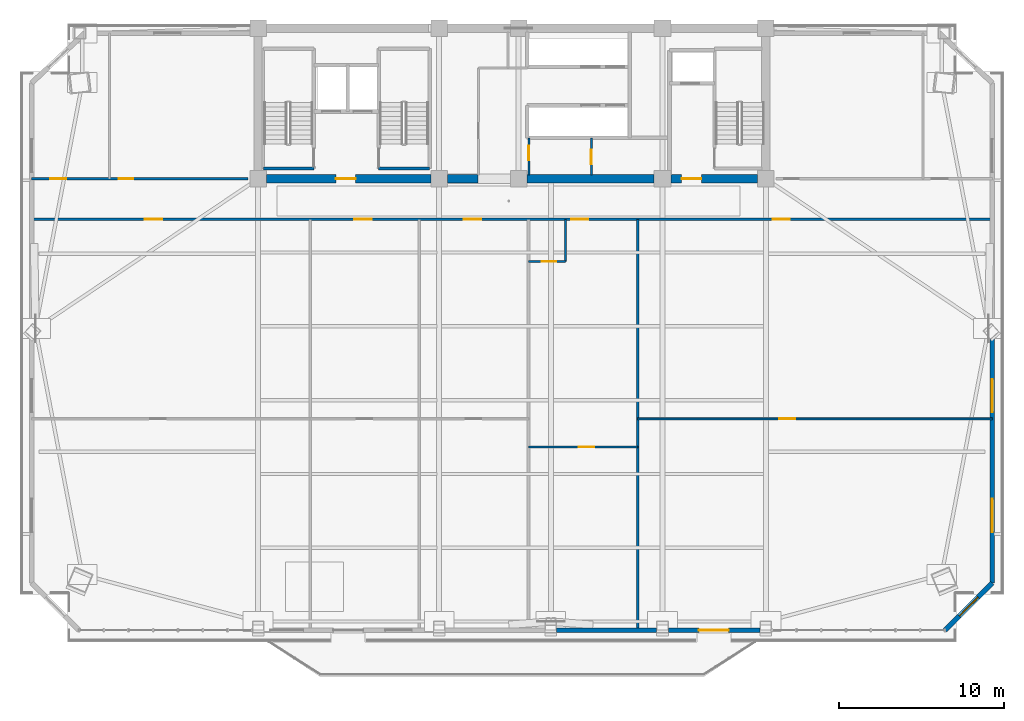
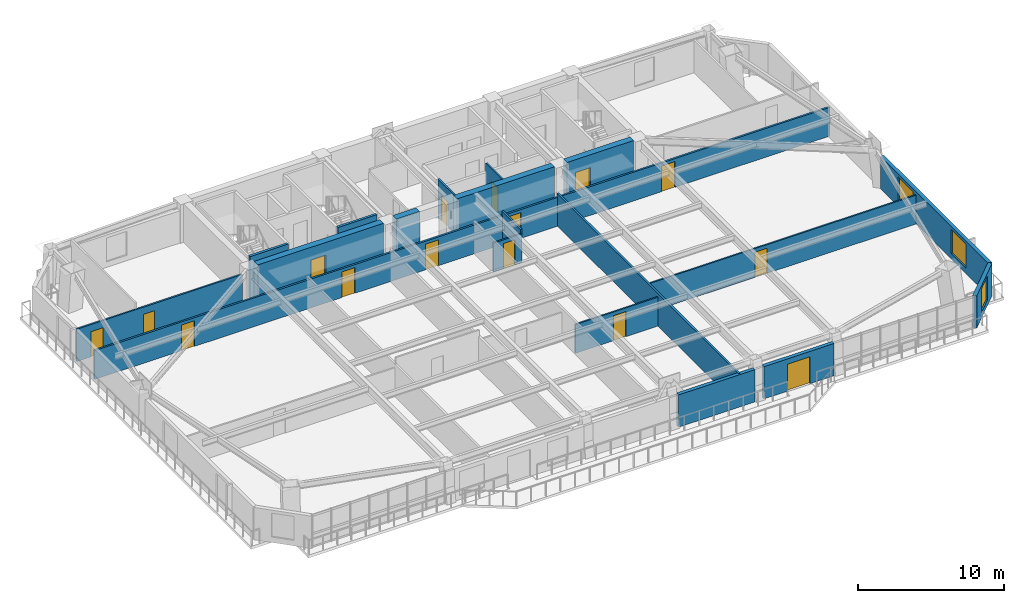
# One storey, part 8 of 15: 19 walls, 15 doors, 3 windows, 18 openings.
"""IFC4 building model written with IfcOpenShell, lengths in metres."""

import ifcopenshell
import ifcopenshell.guid

model = None  # the IFC model being written
_history = None  # IfcOwnerHistory: only IFC2X3 demands one
_inside = {}  # id of a spatial element -> (the spatial element, [elements in it])
_under = {}  # id of a project, library or spatial element -> (it, [spatial elements below it])
_declared = {}  # id of a project -> (the project, [libraries it declares])
_typed = {}  # id of a type object -> (the type object, [elements of that type])
_made_of = {}  # id of a material, layer set ... -> (it, [elements and type objects made of it])


def new_model(schema):
    """Start an empty IFC model of exactly this schema.

    Asked for "IFC4X3", IfcOpenShell would pick the latest addendum, in which some entities
    have other attributes; the version numbers below select the first issue.
    IFC2X3 requires an IfcOwnerHistory on every rooted entity: one is made here for all.
    """
    global model, _history
    if schema == "IFC4X3":
        model = ifcopenshell.file(schema_version=(4, 3, 0, 0))
    else:
        model = ifcopenshell.file(schema=schema)
    _inside.clear()
    _under.clear()
    _declared.clear()
    _typed.clear()
    _made_of.clear()
    _history = None
    if model.schema == "IFC2X3":
        org = make("IfcOrganization", Name="unknown")
        user = make(
            "IfcPersonAndOrganization",
            ThePerson=make("IfcPerson", FamilyName="unknown"),
            TheOrganization=org,
        )
        app = make(
            "IfcApplication",
            ApplicationDeveloper=org,
            Version="unknown",
            ApplicationFullName="unknown",
            ApplicationIdentifier="unknown",
        )
        _history = make(
            "IfcOwnerHistory",
            OwningUser=user,
            OwningApplication=app,
            ChangeAction="ADDED",
            CreationDate=0,
        )
    return model


def make(cls, **values):
    """One entity of the class cls with the attributes given. An attribute that is None is left unset."""
    return model.create_entity(
        cls, **{name: value for name, value in values.items() if value is not None}
    )


def rooted(cls, **values):
    """An entity with a GlobalId (a new one), such as an element, a storey or a relation."""
    return make(cls, GlobalId=ifcopenshell.guid.new(), OwnerHistory=_history, **values)


def si_unit(unit_type, name, prefix=None):
    """IfcSIUnit, for example si_unit("LENGTHUNIT", "METRE", prefix="MILLI")."""
    return make("IfcSIUnit", UnitType=unit_type, Prefix=prefix, Name=name)


def assignment(units):
    """IfcUnitAssignment: the units of a project."""
    return None if units is None else make("IfcUnitAssignment", Units=units)


def point(xyz):
    """IfcCartesianPoint."""
    return None if xyz is None else make("IfcCartesianPoint", Coordinates=xyz)


def direction(xyz):
    """IfcDirection."""
    return None if xyz is None else make("IfcDirection", DirectionRatios=xyz)


def frame(location, z_axis=None, x_axis=None):
    """IfcAxis2Placement3D, a coordinate frame: its origin and axes. An axis left out is left unset."""
    return make(
        "IfcAxis2Placement3D",
        Location=point(location),
        Axis=direction(z_axis),
        RefDirection=direction(x_axis),
    )


def frame_2d(location, x_axis=None):
    """IfcAxis2Placement2D, a coordinate frame in the plane: its origin and x axis."""
    return make(
        "IfcAxis2Placement2D", Location=point(location), RefDirection=direction(x_axis)
    )


def origin():
    """The frame at (0, 0, 0) with its axes left unset."""
    return frame((0.0, 0.0, 0.0))


def place(relative_to, where):
    """IfcLocalPlacement: puts the frame where relative to a parent placement (None: the world)."""
    return make(
        "IfcLocalPlacement", PlacementRelTo=relative_to, RelativePlacement=where
    )


def context(
    kind, dimensions, precision=None, world=None, true_north=None, identifier=None
):
    """IfcGeometricRepresentationContext, for example the 3D "Model" context."""
    return make(
        "IfcGeometricRepresentationContext",
        ContextIdentifier=identifier,
        ContextType=kind,
        CoordinateSpaceDimension=dimensions,
        Precision=precision,
        WorldCoordinateSystem=world,
        TrueNorth=true_north,
    )


def subcontext(parent, identifier, kind, view, scale=None):
    """IfcGeometricRepresentationSubContext, for example "Body" below "Model"."""
    return make(
        "IfcGeometricRepresentationSubContext",
        ContextIdentifier=identifier,
        ContextType=kind,
        ParentContext=parent,
        TargetScale=scale,
        TargetView=view,
    )


def project(units=None, contexts=None):
    """IfcProject with its units and contexts."""
    return rooted(
        "IfcProject",
        Name="project",
        RepresentationContexts=contexts,
        UnitsInContext=assignment(units),
    )


def spatial(cls, under=None, at=None, **own):
    """A site, building, storey or space (cls), placed at a placement, below another one or the project."""
    s = rooted(cls, ObjectPlacement=at, **own)
    if under is not None:
        _under.setdefault(under.id(), (under, []))[1].append(s)
    return s


def profile(cls, at=None, kind="AREA", **sizes):
    """A parametric profile (cls). Its sizes go by their IFC names, for example OverallWidth=200.0."""
    return make(cls, ProfileType=kind, Position=at, **sizes)


def rectangle(**sizes):
    """IfcRectangleProfileDef."""
    return profile("IfcRectangleProfileDef", **sizes)


def extrude(swept, where, along, depth):
    """IfcExtrudedAreaSolid: the profile swept, set in the frame where, extruded along a direction by depth."""
    return make(
        "IfcExtrudedAreaSolid",
        SweptArea=swept,
        Position=where,
        ExtrudedDirection=direction(along),
        Depth=depth,
    )


def shape(context_of_items, identifier, shape_type, items):
    """IfcShapeRepresentation: the items that make up one representation, for example the "Body"."""
    return make(
        "IfcShapeRepresentation",
        ContextOfItems=context_of_items,
        RepresentationIdentifier=identifier,
        RepresentationType=shape_type,
        Items=items,
    )


def source(mapping_origin, context_of_items, identifier, shape_type, items):
    """IfcRepresentationMap: a shape defined once, which mapped items show again and again."""
    return make(
        "IfcRepresentationMap",
        MappingOrigin=mapping_origin,
        MappedRepresentation=shape(context_of_items, identifier, shape_type, items),
    )


def transform(
    local_origin,
    x_axis=None,
    y_axis=None,
    z_axis=None,
    scale=None,
    scale2=None,
    scale3=None,
    uniform=True,
):
    """IfcCartesianTransformationOperator3D, or its non-uniform kind. x_axis, y_axis, z_axis: its Axis1, 2, 3."""
    if uniform:
        return make(
            "IfcCartesianTransformationOperator3D",
            Axis1=direction(x_axis),
            Axis2=direction(y_axis),
            LocalOrigin=point(local_origin),
            Scale=scale,
            Axis3=direction(z_axis),
        )
    return make(
        "IfcCartesianTransformationOperator3DnonUniform",
        Axis1=direction(x_axis),
        Axis2=direction(y_axis),
        LocalOrigin=point(local_origin),
        Scale=scale,
        Axis3=direction(z_axis),
        Scale2=scale2,
        Scale3=scale3,
    )


def mapped(mapping_source, mapping_target):
    """IfcMappedItem: shows the shape of a source again, moved by a transform."""
    return make(
        "IfcMappedItem", MappingSource=mapping_source, MappingTarget=mapping_target
    )


def material(Name=None, Category=None):
    """IfcMaterial."""
    return make("IfcMaterial", Name=Name, Category=Category)


def layer(
    of_material, thickness, ventilated=None, Name=None, Category=None, Priority=None
):
    """IfcMaterialLayer: one layer of a wall or slab, of a material (None: an air gap)."""
    return make(
        "IfcMaterialLayer",
        Material=of_material,
        LayerThickness=thickness,
        IsVentilated=ventilated,
        Name=Name,
        Category=Category,
        Priority=Priority,
    )


def layer_set(layers, Name=None):
    """IfcMaterialLayerSet."""
    return make("IfcMaterialLayerSet", MaterialLayers=layers, LayerSetName=Name)


def made_of(thing, what):
    """Note that an element or type object is made of a material, layer set ...; save() writes the relation."""
    if what is not None:
        _made_of.setdefault(what.id(), (what, []))[1].append(thing)
    return thing


def type_object(cls, material=None, **own):
    """A type object (cls), such as IfcWallType, which elements share."""
    return made_of(rooted(cls, **own), material)


def element(
    cls,
    number,
    at=None,
    inside=None,
    cuts=None,
    type_object=None,
    material=None,
    context=None,
    identifier="Body",
    shape_type=None,
    held_by="IfcProductDefinitionShape",
    body=None,
    shapes=None,
    **own,
):
    """One element of the class cls, such as IfcWall. Its Tag is "e" and its number.

    at: its placement. inside: the storey or other place that contains it. cuts: it is an
    opening in that element (IfcRelVoidsElement). A single representation is given by context,
    identifier, shape_type and body (its items); several are given by shapes. held_by: the class
    of the entity that holds the representations. save() writes the other relations.
    """
    e = rooted(cls, Tag="e%d" % number, ObjectPlacement=at, **own)
    if body is not None:
        shapes = [shape(context, identifier, shape_type, body)]
    if shapes is not None:
        e.Representation = make(held_by, Representations=shapes)
    if inside is not None:
        _inside.setdefault(inside.id(), (inside, []))[1].append(e)
    if cuts is not None:
        rooted(
            "IfcRelVoidsElement", RelatingBuildingElement=cuts, RelatedOpeningElement=e
        )
    if type_object is not None:
        _typed.setdefault(type_object.id(), (type_object, []))[1].append(e)
    return made_of(e, material)


def fill(opening, filler):
    """IfcRelFillsElement: the door or window that sits in an opening."""
    return rooted(
        "IfcRelFillsElement",
        RelatingOpeningElement=opening,
        RelatedBuildingElement=filler,
    )


def aggregate(whole, parts):
    """IfcRelAggregates: a whole, such as a stair, and the parts it consists of."""
    return rooted("IfcRelAggregates", RelatingObject=whole, RelatedObjects=parts)


def save(model, path):
    """Write the relations noted so far, then the file.

    IfcRelAggregates (storeys below a building ...), IfcRelContainedInSpatialStructure (elements
    in a storey), IfcRelDefinesByType, IfcRelAssociatesMaterial and IfcRelDeclares: one each for
    every whole, place, type object, material and project.
    """
    for whole, parts in _under.values():
        aggregate(whole, parts)
    for where, things in _inside.values():
        rooted(
            "IfcRelContainedInSpatialStructure",
            RelatedElements=things,
            RelatingStructure=where,
        )
    for kind, things in _typed.values():
        rooted("IfcRelDefinesByType", RelatedObjects=things, RelatingType=kind)
    for what, things in _made_of.values():
        rooted("IfcRelAssociatesMaterial", RelatedObjects=things, RelatingMaterial=what)
    for by, libraries in _declared.values():
        rooted("IfcRelDeclares", RelatingContext=by, RelatedDefinitions=libraries)
    model.write(path)


model = new_model("IFC4")

# Units and contexts
model_context = context("Model", 3, precision=1e-05, world=origin(), true_north=direction((0.0, 1.0)))
body_context = subcontext(model_context, "Body", "Model", "MODEL_VIEW")
ifc_project = project(units=[si_unit("LENGTHUNIT", "METRE"), si_unit("AREAUNIT", "SQUARE_METRE"), si_unit("VOLUMEUNIT", "CUBIC_METRE"), si_unit("PLANEANGLEUNIT", "RADIAN"), si_unit("MASSUNIT", "GRAM", prefix="KILO")], contexts=[model_context])

# Site, building, storey
site_placement = place(None, origin())
site = spatial("IfcSite", under=ifc_project, at=site_placement, CompositionType="ELEMENT")
building_placement = place(site_placement, origin())
building = spatial("IfcBuilding", under=site, at=building_placement, Name="Giltprow Tower", CompositionType="ELEMENT")
storey_placement = place(building_placement, frame((0.0, 0.0, 187.699951171875)))
storey = spatial("IfcBuildingStorey", under=building, at=storey_placement, Name="L47", CompositionType="ELEMENT", Elevation=187.699951171875)

# Wall, opening, window
ifc_material_1 = material(Name="Precast concrete C40", Category="concrete")
ifc_layer_1 = layer(ifc_material_1, 0.300048828125, Name="Precast concrete C40")
ifc_layer_set_1 = layer_set([ifc_layer_1], Name="Precast concrete C40")
wall_type_1 = type_object("IfcWallType", Name="EW-NOTCH-CHAMFER-300", PredefinedType="SOLIDWALL", material=ifc_layer_set_1)
wall_1_placement = place(storey_placement, frame((61.385986328125, 10.154052734375, 0.0), z_axis=(0.0, 0.0, 1.0), x_axis=(0.707136951076, 0.70707661001, 0.0)))
wall_1 = element("IfcWall", 1, at=wall_1_placement, inside=storey, type_object=wall_type_1, Name="L47 Corner Notch Wall SE", PredefinedType="SOLIDWALL", context=body_context, shape_type="SweptSolid", body=[
    extrude(rectangle(XDim=4.0458984375, YDim=0.300048828125, at=frame_2d((2.02294921875, 0.0))), origin(), (0.0, 0.0, 1.0), 2.699951171875),
])
opening_1_placement = place(wall_1_placement, frame((1.222900390625, 0.0, 0.449951171875)))
opening_1 = element("IfcOpeningElement", 2, at=opening_1_placement, cuts=wall_1, Name="Opening WN17", PredefinedType="OPENING", context=body_context, shape_type="SweptSolid", body=[
    extrude(rectangle(XDim=1.60009765625, YDim=2.0, at=frame_2d((0.800048828125, 1.0))), frame((0.0, 0.159912109375, 0.0), z_axis=(0.0, -1.0, 0.0), x_axis=(1.0, 0.0, 0.0)), (0.0, 0.0, 1.0), 0.320068359375),
])
ifc_material_2 = material(Name="Insulated glass", Category="glass")
window_type_1 = type_object("IfcWindowType", Name="WN-COR-1600x2000", PartitioningType="SINGLE_PANEL", PredefinedType="WINDOW", material=ifc_material_2)
shared_shape_1 = source(origin(), body_context, "Body", "SweptSolid", [
    extrude(rectangle(XDim=1.60009765625, YDim=2.0, at=frame_2d((0.800048828125, 1.0))), frame((0.0, 0.030029296875, 0.0), z_axis=(0.0, -1.0, 0.0), x_axis=(1.0, 0.0, 0.0)), (0.0, 0.0, 1.0), 0.06005859375),
])
window_1_placement = place(opening_1_placement, origin())
window_1 = element("IfcWindow", 3, at=window_1_placement, inside=storey, type_object=window_type_1, Name="L47 Corner Notch Window SE", OverallHeight=2.0, OverallWidth=1.60009765625, PartitioningType="SINGLE_PANEL", PredefinedType="WINDOW", context=body_context, shape_type="MappedRepresentation", body=[
    mapped(shared_shape_1, transform((0.0, 0.0, 0.0), x_axis=(1.0, 0.0, 0.0), y_axis=(0.0, 1.0, 0.0), z_axis=(0.0, 0.0, 1.0), scale=1.0)),
])
fill(opening_1, window_1)

# Wall
ifc_layer_2 = layer(ifc_material_1, 0.280029296875, Name="Precast concrete C40")
ifc_layer_set_2 = layer_set([ifc_layer_2], Name="Precast concrete C40")
wall_type_2 = type_object("IfcWallType", Name="EW-TOW-BRONZE-280", PredefinedType="SOLIDWALL", material=ifc_layer_set_2)
wall_2_placement = place(storey_placement, frame((37.89990234375, 10.154052734375, 0.0), z_axis=(0.0, 0.0, 1.0), x_axis=(1.0, 0.0, 0.0)))
element("IfcWall", 4, at=wall_2_placement, inside=storey, type_object=wall_type_2, Name="L47 South Expressed Frame Wall 4", PredefinedType="SOLIDWALL", context=body_context, shape_type="SweptSolid", body=[
    extrude(rectangle(XDim=6.050048828125, YDim=0.280029296875, at=frame_2d((3.02490234375, 0.0))), origin(), (0.0, 0.0, 1.0), 2.699951171875),
])

# Wall, opening, door
wall_3_placement = place(storey_placement, frame((44.64990234375, 10.154052734375, 0.0), z_axis=(0.0, 0.0, 1.0), x_axis=(1.0, 0.0, 0.0)))
wall_3 = element("IfcWall", 5, at=wall_3_placement, inside=storey, type_object=wall_type_2, Name="L47 South Expressed Frame Wall 5", PredefinedType="SOLIDWALL", context=body_context, shape_type="SweptSolid", body=[
    extrude(rectangle(XDim=5.550048828125, YDim=0.280029296875, at=frame_2d((2.77490234375, 0.0))), origin(), (0.0, 0.0, 1.0), 2.699951171875),
])
opening_2_placement = place(wall_3_placement, frame((1.85009765625, 0.0, 0.0)))
opening_2 = element("IfcOpeningElement", 6, at=opening_2_placement, cuts=wall_3, Name="Opening ED25", PredefinedType="OPENING", context=body_context, shape_type="SweptSolid", body=[
    extrude(rectangle(XDim=1.800048828125, YDim=2.25, at=frame_2d((0.89990234375, 1.125))), frame((0.0, 0.14990234375, 0.0), z_axis=(0.0, -1.0, 0.0), x_axis=(1.0, 0.0, 0.0)), (0.0, 0.0, 1.0), 0.300048828125),
])
ifc_material_3 = material(Name="Anodized bronze and glass", Category="glass")
door_type_1 = type_object("IfcDoorType", Name="DR-BALC-SLIDE-1800", OperationType="SLIDING_TO_LEFT", PredefinedType="DOOR", material=ifc_material_3)
shared_shape_2 = source(origin(), body_context, "Body", "SweptSolid", [
    extrude(rectangle(XDim=1.800048828125, YDim=2.25, at=frame_2d((0.89990234375, 1.125))), frame((0.0, 0.02490234375, 0.0), z_axis=(0.0, -1.0, 0.0), x_axis=(1.0, 0.0, 0.0)), (0.0, 0.0, 1.0), 0.050048828125),
])
door_1_placement = place(opening_2_placement, origin())
door_1 = element("IfcDoor", 7, at=door_1_placement, inside=storey, type_object=door_type_1, Name="L47 Waterfront Balcony Sliding Door 2", OperationType="SLIDING_TO_LEFT", OverallHeight=2.25, OverallWidth=1.800048828125, PredefinedType="DOOR", context=body_context, shape_type="MappedRepresentation", body=[
    mapped(shared_shape_2, transform((0.0, 0.0, 0.0), x_axis=(1.0, 0.0, 0.0), y_axis=(0.0, 1.0, 0.0), z_axis=(0.0, 0.0, 1.0), scale=1.0)),
])
fill(opening_2, door_1)

# Wall, openings, windows
wall_4_placement = place(storey_placement, frame((64.2470703125, 13.014892578125, 0.0), z_axis=(0.0, 0.0, 1.0), x_axis=(0.0, 1.0, 0.0)))
wall_4 = element("IfcWall", 8, at=wall_4_placement, inside=storey, type_object=wall_type_2, Name="L47 E Wing Masonry Wall 1", PredefinedType="SOLIDWALL", context=body_context, shape_type="SweptSolid", body=[
    extrude(rectangle(XDim=14.76220703125, YDim=0.280029296875, at=frame_2d((7.381103515625, 0.0))), origin(), (0.0, 0.0, 1.0), 2.699951171875),
])
opening_3_placement = place(wall_4_placement, frame((3.077880859375, 0.0, 0.449951171875)))
opening_3 = element("IfcOpeningElement", 9, at=opening_3_placement, cuts=wall_4, Name="Opening WN21", PredefinedType="OPENING", context=body_context, shape_type="SweptSolid", body=[
    extrude(rectangle(XDim=2.0, YDim=2.0, at=frame_2d((1.0, 1.0))), frame((0.0, 0.14990234375, 0.0), z_axis=(0.0, -1.0, 0.0), x_axis=(1.0, 0.0, 0.0)), (0.0, 0.0, 1.0), 0.300048828125),
])
opening_4_placement = place(wall_4_placement, frame((10.324951171875, 0.0, 0.449951171875)))
opening_4 = element("IfcOpeningElement", 10, at=opening_4_placement, cuts=wall_4, Name="Opening WN21", PredefinedType="OPENING", context=body_context, shape_type="SweptSolid", body=[
    extrude(rectangle(XDim=2.0, YDim=2.0, at=frame_2d((1.0, 1.0))), frame((0.0, 0.14990234375, 0.0), z_axis=(0.0, -1.0, 0.0), x_axis=(1.0, 0.0, 0.0)), (0.0, 0.0, 1.0), 0.300048828125),
])
window_type_2 = type_object("IfcWindowType", Name="WN-HTL-2000x2000", PartitioningType="DOUBLE_PANEL_VERTICAL", PredefinedType="WINDOW", material=ifc_material_2)
shared_shape_3 = source(origin(), body_context, "Body", "SweptSolid", [
    extrude(rectangle(XDim=2.0, YDim=2.0, at=frame_2d((1.0, 1.0))), frame((0.0, 0.030029296875, 0.0), z_axis=(0.0, -1.0, 0.0), x_axis=(1.0, 0.0, 0.0)), (0.0, 0.0, 1.0), 0.06005859375),
])
window_2_placement = place(opening_3_placement, origin())
window_2 = element("IfcWindow", 11, at=window_2_placement, inside=storey, type_object=window_type_2, Name="L47 E Wing Window 1-1A", OverallHeight=2.0, OverallWidth=2.0, PartitioningType="SINGLE_PANEL", PredefinedType="WINDOW", context=body_context, shape_type="MappedRepresentation", body=[
    mapped(shared_shape_3, transform((0.0, 0.0, 0.0), x_axis=(1.0, 0.0, 0.0), y_axis=(0.0, 1.0, 0.0), z_axis=(0.0, 0.0, 1.0), scale=1.0)),
])
fill(opening_3, window_2)
window_3_placement = place(opening_4_placement, origin())
window_3 = element("IfcWindow", 12, at=window_3_placement, inside=storey, type_object=window_type_2, Name="L47 E Wing Window 1-1B", OverallHeight=2.0, OverallWidth=2.0, PartitioningType="SINGLE_PANEL", PredefinedType="WINDOW", context=body_context, shape_type="MappedRepresentation", body=[
    mapped(shared_shape_3, transform((0.0, 0.0, 0.0), x_axis=(1.0, 0.0, 0.0), y_axis=(0.0, 1.0, 0.0), z_axis=(0.0, 0.0, 1.0), scale=1.0)),
])
fill(opening_4, window_3)

# Wall, openings, doors
ifc_material_4 = material(Name="Gypsum stud partition", Category="gypsum")
ifc_layer_3 = layer(ifc_material_4, 0.14990234375, Name="Gypsum stud partition")
ifc_layer_set_3 = layer_set([ifc_layer_3], Name="Gypsum stud partition")
wall_type_3 = type_object("IfcWallType", Name="IW-CORR-150", PredefinedType="PARTITIONING", material=ifc_layer_set_3)
wall_5_placement = place(storey_placement, frame((6.154052734375, 35.0, 0.0), z_axis=(0.0, 0.0, 1.0), x_axis=(1.0, 0.0, 0.0)))
wall_5 = element("IfcWall", 13, at=wall_5_placement, inside=storey, type_object=wall_type_3, Name="L47 Hotel Guestroom Corridor Wall", PredefinedType="PARTITIONING", context=body_context, shape_type="SweptSolid", body=[
    extrude(rectangle(XDim=58.093017578125, YDim=0.14990234375, at=frame_2d((29.04638671875, 0.0))), origin(), (0.0, 0.0, 1.0), 2.405029296875),
])
opening_5_placement = place(wall_5_placement, frame((6.840087890625, 0.0, 0.0)))
opening_5 = element("IfcOpeningElement", 14, at=opening_5_placement, cuts=wall_5, Name="Opening ID31", PredefinedType="OPENING", context=body_context, shape_type="SweptSolid", body=[
    extrude(rectangle(XDim=1.050048828125, YDim=2.14990234375, at=frame_2d((0.52490234375, 1.074951171875))), frame((0.0, 0.0849609375, 0.0), z_axis=(0.0, -1.0, 0.0), x_axis=(1.0, 0.0, 0.0)), (0.0, 0.0, 1.0), 0.169921875),
])
opening_6_placement = place(wall_5_placement, frame((19.52294921875, 0.0, 0.0)))
opening_6 = element("IfcOpeningElement", 15, at=opening_6_placement, cuts=wall_5, Name="Opening ID31", PredefinedType="OPENING", context=body_context, shape_type="SweptSolid", body=[
    extrude(rectangle(XDim=1.050048828125, YDim=2.14990234375, at=frame_2d((0.52490234375, 1.074951171875))), frame((0.0, 0.0849609375, 0.0), z_axis=(0.0, -1.0, 0.0), x_axis=(1.0, 0.0, 0.0)), (0.0, 0.0, 1.0), 0.169921875),
])
opening_7_placement = place(wall_5_placement, frame((26.123046875, 0.0, 0.0)))
opening_7 = element("IfcOpeningElement", 16, at=opening_7_placement, cuts=wall_5, Name="Opening ID31", PredefinedType="OPENING", context=body_context, shape_type="SweptSolid", body=[
    extrude(rectangle(XDim=1.050048828125, YDim=2.14990234375, at=frame_2d((0.52490234375, 1.074951171875))), frame((0.0, 0.0849609375, 0.0), z_axis=(0.0, -1.0, 0.0), x_axis=(1.0, 0.0, 0.0)), (0.0, 0.0, 1.0), 0.169921875),
])
opening_8_placement = place(wall_5_placement, frame((32.615966796875, 0.0, 0.0)))
opening_8 = element("IfcOpeningElement", 17, at=opening_8_placement, cuts=wall_5, Name="Opening ID31", PredefinedType="OPENING", context=body_context, shape_type="SweptSolid", body=[
    extrude(rectangle(XDim=1.050048828125, YDim=2.14990234375, at=frame_2d((0.52490234375, 1.074951171875))), frame((0.0, 0.0849609375, 0.0), z_axis=(0.0, -1.0, 0.0), x_axis=(1.0, 0.0, 0.0)), (0.0, 0.0, 1.0), 0.169921875),
])
opening_9_placement = place(wall_5_placement, frame((44.800048828125, 0.0, 0.0)))
opening_9 = element("IfcOpeningElement", 18, at=opening_9_placement, cuts=wall_5, Name="Opening ID31", PredefinedType="OPENING", context=body_context, shape_type="SweptSolid", body=[
    extrude(rectangle(XDim=1.050048828125, YDim=2.14990234375, at=frame_2d((0.52490234375, 1.074951171875))), frame((0.0, 0.0849609375, 0.0), z_axis=(0.0, -1.0, 0.0), x_axis=(1.0, 0.0, 0.0)), (0.0, 0.0, 1.0), 0.169921875),
])
ifc_material_5 = material(Name="Engineered timber", Category="wood")
door_type_2 = type_object("IfcDoorType", Name="DR-SUITE-1050", OperationType="SINGLE_SWING_LEFT", PredefinedType="DOOR", material=ifc_material_5)
shared_shape_4 = source(origin(), body_context, "Body", "SweptSolid", [
    extrude(rectangle(XDim=1.050048828125, YDim=2.14990234375, at=frame_2d((0.52490234375, 1.074951171875))), frame((0.0, 0.02490234375, 0.0), z_axis=(0.0, -1.0, 0.0), x_axis=(1.0, 0.0, 0.0)), (0.0, 0.0, 1.0), 0.050048828125),
])
door_2_placement = place(opening_5_placement, origin())
door_2 = element("IfcDoor", 19, at=door_2_placement, inside=storey, type_object=door_type_2, Name="L47 Suite Reception Foyer Door", OperationType="SINGLE_SWING_RIGHT", OverallHeight=2.14990234375, OverallWidth=1.050048828125, PredefinedType="DOOR", context=body_context, shape_type="MappedRepresentation", body=[
    mapped(shared_shape_4, transform((0.0, 0.0, 0.0), x_axis=(1.0, 0.0, 0.0), y_axis=(0.0, 1.0, 0.0), z_axis=(0.0, 0.0, 1.0), scale=1.0)),
])
fill(opening_5, door_2)
door_3_placement = place(opening_6_placement, origin())
door_3 = element("IfcDoor", 20, at=door_3_placement, inside=storey, type_object=door_type_2, Name="L47 Suite Reception Foyer Door", OperationType="SINGLE_SWING_RIGHT", OverallHeight=2.14990234375, OverallWidth=1.050048828125, PredefinedType="DOOR", context=body_context, shape_type="MappedRepresentation", body=[
    mapped(shared_shape_4, transform((0.0, 0.0, 0.0), x_axis=(1.0, 0.0, 0.0), y_axis=(0.0, 1.0, 0.0), z_axis=(0.0, 0.0, 1.0), scale=1.0)),
])
fill(opening_6, door_3)
door_4_placement = place(opening_7_placement, origin())
door_4 = element("IfcDoor", 21, at=door_4_placement, inside=storey, type_object=door_type_2, Name="L47 Suite Reception Foyer Door", OperationType="SINGLE_SWING_RIGHT", OverallHeight=2.14990234375, OverallWidth=1.050048828125, PredefinedType="DOOR", context=body_context, shape_type="MappedRepresentation", body=[
    mapped(shared_shape_4, transform((0.0, 0.0, 0.0), x_axis=(1.0, 0.0, 0.0), y_axis=(0.0, 1.0, 0.0), z_axis=(0.0, 0.0, 1.0), scale=1.0)),
])
fill(opening_7, door_4)
door_5_placement = place(opening_8_placement, origin())
door_5 = element("IfcDoor", 22, at=door_5_placement, inside=storey, type_object=door_type_2, Name="L47 Hotel Room 4 Entry Door", OperationType="SINGLE_SWING_RIGHT", OverallHeight=2.14990234375, OverallWidth=1.050048828125, PredefinedType="DOOR", context=body_context, shape_type="MappedRepresentation", body=[
    mapped(shared_shape_4, transform((0.0, 0.0, 0.0), x_axis=(1.0, 0.0, 0.0), y_axis=(0.0, 1.0, 0.0), z_axis=(0.0, 0.0, 1.0), scale=1.0)),
])
fill(opening_8, door_5)
door_6_placement = place(opening_9_placement, origin())
door_6 = element("IfcDoor", 23, at=door_6_placement, inside=storey, type_object=door_type_2, Name="L47 Suite Reception Foyer Door", OperationType="SINGLE_SWING_LEFT", OverallHeight=2.14990234375, OverallWidth=1.050048828125, PredefinedType="DOOR", context=body_context, shape_type="MappedRepresentation", body=[
    mapped(shared_shape_4, transform((0.0, 0.0, 0.0), x_axis=(1.0, 0.0, 0.0), y_axis=(0.0, 1.0, 0.0), z_axis=(0.0, 0.0, 1.0), scale=1.0)),
])
fill(opening_9, door_6)

# Wall
ifc_layer_4 = layer(ifc_material_4, 0.159912109375, Name="Gypsum stud partition")
ifc_layer_set_4 = layer_set([ifc_layer_4], Name="Gypsum stud partition")
wall_type_4 = type_object("IfcWallType", Name="IW-DEMISE-160", PredefinedType="PARTITIONING", material=ifc_layer_set_4)
wall_6_placement = place(storey_placement, frame((42.800048828125, 10.154052734375, 0.0), z_axis=(0.0, 0.0, 1.0), x_axis=(0.0, 1.0, 0.0)))
element("IfcWall", 24, at=wall_6_placement, inside=storey, type_object=wall_type_4, Name="L47 Hotel Demising Wall 4", PredefinedType="PARTITIONING", context=body_context, shape_type="SweptSolid", body=[
    extrude(rectangle(XDim=24.845947265625, YDim=0.159912109375, at=frame_2d((12.4228515625, 0.0))), origin(), (0.0, 0.0, 1.0), 2.705078125),
])

# Wall, opening, door
ifc_layer_5 = layer(ifc_material_4, 0.1201171875, Name="Gypsum stud partition")
ifc_layer_set_5 = layer_set([ifc_layer_5], Name="Gypsum stud partition")
wall_type_5 = type_object("IfcWallType", Name="IW-ROOM-120", PredefinedType="PARTITIONING", material=ifc_layer_set_5)
wall_7_placement = place(storey_placement, frame((36.199951171875, 21.23388671875, 0.0), z_axis=(0.0, 0.0, 1.0), x_axis=(1.0, 0.0, 0.0)))
wall_7 = element("IfcWall", 25, at=wall_7_placement, inside=storey, type_object=wall_type_5, Name="L47 Suite Parlour Divider 4", PredefinedType="PARTITIONING", context=body_context, shape_type="SweptSolid", body=[
    extrude(rectangle(XDim=6.60009765625, YDim=0.1201171875, at=frame_2d((3.300048828125, 0.0))), origin(), (0.0, 0.0, 1.0), 2.405029296875),
])
opening_10_placement = place(wall_7_placement, frame((3.02490234375, 0.0, 0.0)))
opening_10 = element("IfcOpeningElement", 26, at=opening_10_placement, cuts=wall_7, Name="Opening ID11", PredefinedType="OPENING", context=body_context, shape_type="SweptSolid", body=[
    extrude(rectangle(XDim=0.949951171875, YDim=2.10009765625, at=frame_2d((0.47509765625, 1.050048828125))), frame((0.0, 0.070068359375, 0.0), z_axis=(0.0, -1.0, 0.0), x_axis=(1.0, 0.0, 0.0)), (0.0, 0.0, 1.0), 0.14013671875),
])
door_type_3 = type_object("IfcDoorType", Name="DR-ROOM-950", OperationType="SINGLE_SWING_RIGHT", PredefinedType="DOOR", material=ifc_material_5)
shared_shape_5 = source(origin(), body_context, "Body", "SweptSolid", [
    extrude(rectangle(XDim=0.949951171875, YDim=2.10009765625, at=frame_2d((0.47509765625, 1.050048828125))), frame((0.0, 0.02490234375, 0.0), z_axis=(0.0, -1.0, 0.0), x_axis=(1.0, 0.0, 0.0)), (0.0, 0.0, 1.0), 0.050048828125),
])
door_7_placement = place(opening_10_placement, origin())
door_7 = element("IfcDoor", 27, at=door_7_placement, inside=storey, type_object=door_type_3, Name="L47 Harbour Parlour 4 Door", OperationType="SINGLE_SWING_RIGHT", OverallHeight=2.10009765625, OverallWidth=0.949951171875, PredefinedType="DOOR", context=body_context, shape_type="MappedRepresentation", body=[
    mapped(shared_shape_5, transform((0.0, 0.0, 0.0), x_axis=(1.0, 0.0, 0.0), y_axis=(0.0, 1.0, 0.0), z_axis=(0.0, 0.0, 1.0), scale=1.0)),
])
fill(opening_10, door_7)

wall_8_placement = place(storey_placement, frame((42.800048828125, 22.93994140625, 0.0), z_axis=(0.0, 0.0, 1.0), x_axis=(1.0, 0.0, 0.0)))
wall_8 = element("IfcWall", 28, at=wall_8_placement, inside=storey, type_object=wall_type_5, Name="L47 Amenity Mid Wall 5", PredefinedType="PARTITIONING", context=body_context, shape_type="SweptSolid", body=[
    extrude(rectangle(XDim=21.447021484375, YDim=0.1201171875, at=frame_2d((10.7236328125, 0.0))), origin(), (0.0, 0.0, 1.0), 2.405029296875),
])
opening_11_placement = place(wall_8_placement, frame((8.571044921875, 0.0, 0.0)))
opening_11 = element("IfcOpeningElement", 29, at=opening_11_placement, cuts=wall_8, Name="Opening ID11", PredefinedType="OPENING", context=body_context, shape_type="SweptSolid", body=[
    extrude(rectangle(XDim=0.949951171875, YDim=2.10009765625, at=frame_2d((0.47509765625, 1.050048828125))), frame((0.0, 0.070068359375, 0.0), z_axis=(0.0, -1.0, 0.0), x_axis=(1.0, 0.0, 0.0)), (0.0, 0.0, 1.0), 0.14013671875),
])
door_8_placement = place(opening_11_placement, origin())
door_8 = element("IfcDoor", 30, at=door_8_placement, inside=storey, type_object=door_type_3, Name="L47 Tea Ceremony Kitchen 4 Inner Door", OperationType="SINGLE_SWING_RIGHT", OverallHeight=2.10009765625, OverallWidth=0.949951171875, PredefinedType="DOOR", context=body_context, shape_type="MappedRepresentation", body=[
    mapped(shared_shape_5, transform((0.0, 0.0, 0.0), x_axis=(1.0, 0.0, 0.0), y_axis=(0.0, 1.0, 0.0), z_axis=(0.0, 0.0, 1.0), scale=1.0)),
])
fill(opening_11, door_8)

# Walls
ifc_material_6 = material(Name="Concrete C40", Category="concrete")
ifc_layer_6 = layer(ifc_material_6, 0.199951171875, Name="Concrete C40")
ifc_layer_set_6 = layer_set([ifc_layer_6], Name="Concrete C40")
wall_type_6 = type_object("IfcWallType", Name="IW-STAIR-200", PredefinedType="SOLIDWALL", material=ifc_layer_set_6)
wall_9_placement = place(storey_placement, frame((20.169921875, 38.070068359375, 0.0), z_axis=(0.0, 0.0, 1.0), x_axis=(1.0, 0.0, 0.0)))
element("IfcWall", 31, at=wall_9_placement, inside=storey, type_object=wall_type_6, Name="L47 Stair ST-1 South Bearing Wall", PredefinedType="SOLIDWALL", context=body_context, shape_type="SweptSolid", body=[
    extrude(rectangle(XDim=3.050048828125, YDim=0.199951171875, at=frame_2d((1.52490234375, 0.0))), origin(), (0.0, 0.0, 1.0), 3.5),
])
wall_10_placement = place(storey_placement, frame((27.139892578125, 38.070068359375, 0.0), z_axis=(0.0, 0.0, 1.0), x_axis=(1.0, 0.0, 0.0)))
element("IfcWall", 32, at=wall_10_placement, inside=storey, type_object=wall_type_6, Name="L47 Stair ST-2 South Bearing Wall", PredefinedType="SOLIDWALL", context=body_context, shape_type="SweptSolid", body=[
    extrude(rectangle(XDim=3.080078125, YDim=0.199951171875, at=frame_2d((1.5400390625, 0.0))), origin(), (0.0, 0.0, 1.0), 3.5),
])

# Wall, opening, door
ifc_material_7 = material(Name="Concrete C30", Category="concrete")
ifc_layer_7 = layer(ifc_material_7, 0.1298828125, Name="Concrete C30")
ifc_layer_set_7 = layer_set([ifc_layer_7], Name="Concrete C30")
wall_type_7 = type_object("IfcWallType", Name="IW-WET-130", PredefinedType="PARTITIONING", material=ifc_layer_set_7)
wall_11_placement = place(storey_placement, frame((36.219970703125, 37.679931640625, 0.0), z_axis=(0.0, 0.0, 1.0), x_axis=(0.0, 1.0, 0.0)))
wall_11 = element("IfcWall", 33, at=wall_11_placement, inside=storey, type_object=wall_type_7, Name="L47 Core Valet West Wall", PredefinedType="PARTITIONING", context=body_context, shape_type="SweptSolid", body=[
    extrude(rectangle(XDim=2.239990234375, YDim=0.1298828125, at=frame_2d((1.1201171875, 0.0))), origin(), (0.0, 0.0, 1.0), 3.219970703125),
])
opening_12_placement = place(wall_11_placement, frame((0.8798828125, 0.0, 0.0)))
opening_12 = element("IfcOpeningElement", 34, at=opening_12_placement, cuts=wall_11, Name="Opening ID35", PredefinedType="OPENING", context=body_context, shape_type="SweptSolid", body=[
    extrude(rectangle(XDim=0.89990234375, YDim=2.10009765625, at=frame_2d((0.449951171875, 1.050048828125))), frame((0.0, 0.074951171875, 0.0), z_axis=(0.0, -1.0, 0.0), x_axis=(1.0, 0.0, 0.0)), (0.0, 0.0, 1.0), 0.14990234375),
])
ifc_material_8 = material(Name="Steel fire leaf", Category="steel")
door_type_4 = type_object("IfcDoorType", Name="DR-SHAFT-900", OperationType="SINGLE_SWING_LEFT", PredefinedType="DOOR", material=ifc_material_8)
shared_shape_6 = source(origin(), body_context, "Body", "SweptSolid", [
    extrude(rectangle(XDim=0.89990234375, YDim=2.10009765625, at=frame_2d((0.449951171875, 1.050048828125))), frame((0.0, 0.02490234375, 0.0), z_axis=(0.0, -1.0, 0.0), x_axis=(1.0, 0.0, 0.0)), (0.0, 0.0, 1.0), 0.050048828125),
])
door_9_placement = place(opening_12_placement, origin())
door_9 = element("IfcDoor", 35, at=door_9_placement, inside=storey, type_object=door_type_4, Name="L47 Core Staff WC Door", OperationType="SINGLE_SWING_RIGHT", OverallHeight=2.10009765625, OverallWidth=0.89990234375, PredefinedType="DOOR", context=body_context, shape_type="MappedRepresentation", body=[
    mapped(shared_shape_6, transform((0.0, 0.0, 0.0), x_axis=(1.0, 0.0, 0.0), y_axis=(0.0, 1.0, 0.0), z_axis=(0.0, 0.0, 1.0), scale=1.0)),
])
fill(opening_12, door_9)

wall_12_placement = place(storey_placement, frame((40.0, 37.679931640625, 0.0), z_axis=(0.0, 0.0, 1.0), x_axis=(0.0, 1.0, 0.0)))
wall_12 = element("IfcWall", 36, at=wall_12_placement, inside=storey, type_object=wall_type_7, Name="L47 Core Valet Split", PredefinedType="PARTITIONING", context=body_context, shape_type="SweptSolid", body=[
    extrude(rectangle(XDim=2.239990234375, YDim=0.1298828125, at=frame_2d((1.1201171875, 0.0))), origin(), (0.0, 0.0, 1.0), 3.219970703125),
])
opening_13_placement = place(wall_12_placement, frame((0.639892578125, 0.0, 0.0)))
opening_13 = element("IfcOpeningElement", 37, at=opening_13_placement, cuts=wall_12, Name="Opening ID35", PredefinedType="OPENING", context=body_context, shape_type="SweptSolid", body=[
    extrude(rectangle(XDim=0.89990234375, YDim=2.10009765625, at=frame_2d((0.449951171875, 1.050048828125))), frame((0.0, 0.074951171875, 0.0), z_axis=(0.0, -1.0, 0.0), x_axis=(1.0, 0.0, 0.0)), (0.0, 0.0, 1.0), 0.14990234375),
])
door_10_placement = place(opening_13_placement, origin())
door_10 = element("IfcDoor", 38, at=door_10_placement, inside=storey, type_object=door_type_4, Name="L47 Core Minibar Pantry Door", OperationType="SINGLE_SWING_LEFT", OverallHeight=2.10009765625, OverallWidth=0.89990234375, PredefinedType="DOOR", context=body_context, shape_type="MappedRepresentation", body=[
    mapped(shared_shape_6, transform((0.0, 0.0, 0.0), x_axis=(1.0, 0.0, 0.0), y_axis=(0.0, 1.0, 0.0), z_axis=(0.0, 0.0, 1.0), scale=1.0)),
])
fill(opening_13, door_10)

wall_13_placement = place(storey_placement, frame((36.199951171875, 32.449951171875, 0.0), z_axis=(0.0, 0.0, 1.0), x_axis=(1.0, 0.0, 0.0)))
wall_13 = element("IfcWall", 39, at=wall_13_placement, inside=storey, type_object=wall_type_7, Name="L47 En-Suite South Wall 4", PredefinedType="PARTITIONING", context=body_context, shape_type="SweptSolid", body=[
    extrude(rectangle(XDim=2.22998046875, YDim=0.1298828125, at=frame_2d((1.114990234375, 0.0))), origin(), (0.0, 0.0, 1.0), 2.405029296875),
])
opening_14_placement = place(wall_13_placement, frame((0.784912109375, 0.0, 0.0)))
opening_14 = element("IfcOpeningElement", 40, at=opening_14_placement, cuts=wall_13, Name="Opening ID15", PredefinedType="OPENING", context=body_context, shape_type="SweptSolid", body=[
    extrude(rectangle(XDim=0.89990234375, YDim=2.10009765625, at=frame_2d((0.449951171875, 1.050048828125))), frame((0.0, 0.074951171875, 0.0), z_axis=(0.0, -1.0, 0.0), x_axis=(1.0, 0.0, 0.0)), (0.0, 0.0, 1.0), 0.14990234375),
])
door_type_5 = type_object("IfcDoorType", Name="DR-WC-900", OperationType="SINGLE_SWING_LEFT", PredefinedType="DOOR", material=ifc_material_5)
door_11_placement = place(opening_14_placement, origin())
door_11 = element("IfcDoor", 41, at=door_11_placement, inside=storey, type_object=door_type_5, Name="L47 En-Suite 4 Door", OperationType="SINGLE_SWING_LEFT", OverallHeight=2.10009765625, OverallWidth=0.89990234375, PredefinedType="DOOR", context=body_context, shape_type="MappedRepresentation", body=[
    mapped(shared_shape_6, transform((0.0, 0.0, 0.0), x_axis=(1.0, 0.0, 0.0), y_axis=(0.0, 1.0, 0.0), z_axis=(0.0, 0.0, 1.0), scale=1.0)),
])
fill(opening_14, door_11)

# Wall
wall_14_placement = place(storey_placement, frame((38.429931640625, 32.449951171875, 0.0), z_axis=(0.0, 0.0, 1.0), x_axis=(0.0, 1.0, 0.0)))
element("IfcWall", 42, at=wall_14_placement, inside=storey, type_object=wall_type_7, Name="L47 En-Suite East Wall 4", PredefinedType="PARTITIONING", context=body_context, shape_type="SweptSolid", body=[
    extrude(rectangle(XDim=2.550048828125, YDim=0.1298828125, at=frame_2d((1.27490234375, 0.0))), origin(), (0.0, 0.0, 1.0), 2.755126953125),
])

# Wall, openings, doors
wall_15_placement = place(storey_placement, frame((6.154052734375, 37.449951171875, 0.0), z_axis=(0.0, 0.0, 1.0), x_axis=(1.0, 0.0, 0.0)))
wall_15 = element("IfcWall", 43, at=wall_15_placement, inside=storey, type_object=wall_type_7, Name="L47 NW Wing South Wall", PredefinedType="PARTITIONING", context=body_context, shape_type="SweptSolid", body=[
    extrude(rectangle(XDim=13.095947265625, YDim=0.1298828125, at=frame_2d((6.5478515625, 0.0))), origin(), (0.0, 0.0, 1.0), 2.705078125),
])
opening_15_placement = place(wall_15_placement, frame((1.135009765625, 0.0, 0.0)))
opening_15 = element("IfcOpeningElement", 44, at=opening_15_placement, cuts=wall_15, Name="Opening ID11", PredefinedType="OPENING", context=body_context, shape_type="SweptSolid", body=[
    extrude(rectangle(XDim=0.949951171875, YDim=2.10009765625, at=frame_2d((0.47509765625, 1.050048828125))), frame((0.0, 0.074951171875, 0.0), z_axis=(0.0, -1.0, 0.0), x_axis=(1.0, 0.0, 0.0)), (0.0, 0.0, 1.0), 0.14990234375),
])
opening_16_placement = place(wall_15_placement, frame((5.256103515625, 0.0, 0.0)))
opening_16 = element("IfcOpeningElement", 45, at=opening_16_placement, cuts=wall_15, Name="Opening ID15", PredefinedType="OPENING", context=body_context, shape_type="SweptSolid", body=[
    extrude(rectangle(XDim=0.89990234375, YDim=2.10009765625, at=frame_2d((0.449951171875, 1.050048828125))), frame((0.0, 0.074951171875, 0.0), z_axis=(0.0, -1.0, 0.0), x_axis=(1.0, 0.0, 0.0)), (0.0, 0.0, 1.0), 0.14990234375),
])
door_12_placement = place(opening_16_placement, origin())
door_12 = element("IfcDoor", 46, at=door_12_placement, inside=storey, type_object=door_type_5, Name="L47 NW Washroom Door", OperationType="SINGLE_SWING_RIGHT", OverallHeight=2.10009765625, OverallWidth=0.89990234375, PredefinedType="DOOR", context=body_context, shape_type="MappedRepresentation", body=[
    mapped(shared_shape_6, transform((0.0, 0.0, 0.0), x_axis=(1.0, 0.0, 0.0), y_axis=(0.0, 1.0, 0.0), z_axis=(0.0, 0.0, 1.0), scale=1.0)),
])
fill(opening_16, door_12)
door_13_placement = place(opening_15_placement, origin())
door_13 = element("IfcDoor", 47, at=door_13_placement, inside=storey, type_object=door_type_3, Name="L47 Hotel Floor Butler Office West Door", OperationType="SINGLE_SWING_LEFT", OverallHeight=2.10009765625, OverallWidth=0.949951171875, PredefinedType="DOOR", context=body_context, shape_type="MappedRepresentation", body=[
    mapped(shared_shape_5, transform((0.0, 0.0, 0.0), x_axis=(1.0, 0.0, 0.0), y_axis=(0.0, 1.0, 0.0), z_axis=(0.0, 0.0, 1.0), scale=1.0)),
])
fill(opening_15, door_13)

# Wall, opening, door
ifc_material_9 = material(Name="Concrete C50", Category="concrete")
ifc_layer_8 = layer(ifc_material_9, 0.5, Name="Concrete C50")
ifc_layer_set_8 = layer_set([ifc_layer_8], Name="Concrete C50")
wall_type_8 = type_object("IfcWallType", Name="SW-INT-500-C50", PredefinedType="SHEAR", material=ifc_layer_set_8)
wall_16_placement = place(storey_placement, frame((20.35009765625, 37.449951171875, 0.0), z_axis=(0.0, 0.0, 1.0), x_axis=(1.0, 0.0, 0.0)))
wall_16 = element("IfcWall", 48, at=wall_16_placement, inside=storey, type_object=wall_type_8, Name="L47 South Rear Core Shear Wall West", PredefinedType="SHEAR", context=body_context, shape_type="SweptSolid", body=[
    extrude(rectangle(XDim=9.949951171875, YDim=0.5, at=frame_2d((4.97509765625, 0.0))), origin(), (0.0, 0.0, 1.0), 3.219970703125),
])
opening_17_placement = place(wall_16_placement, frame((4.199951171875, 0.0, 0.0)))
opening_17 = element("IfcOpeningElement", 49, at=opening_17_placement, cuts=wall_16, Name="Opening ID19", PredefinedType="OPENING", context=body_context, shape_type="SweptSolid", body=[
    extrude(rectangle(XDim=1.199951171875, YDim=2.14990234375, at=frame_2d((0.60009765625, 1.074951171875))), frame((0.0, 0.260009765625, 0.0), z_axis=(0.0, -1.0, 0.0), x_axis=(1.0, 0.0, 0.0)), (0.0, 0.0, 1.0), 0.52001953125),
])
door_type_6 = type_object("IfcDoorType", Name="DR-FFLOBBY-1200", OperationType="SINGLE_SWING_RIGHT", PredefinedType="DOOR", material=ifc_material_8)
shared_shape_7 = source(origin(), body_context, "Body", "SweptSolid", [
    extrude(rectangle(XDim=1.199951171875, YDim=2.14990234375, at=frame_2d((0.60009765625, 1.074951171875))), frame((0.0, 0.02490234375, 0.0), z_axis=(0.0, -1.0, 0.0), x_axis=(1.0, 0.0, 0.0)), (0.0, 0.0, 1.0), 0.050048828125),
])
door_14_placement = place(opening_17_placement, origin())
door_14 = element("IfcDoor", 50, at=door_14_placement, inside=storey, type_object=door_type_6, Name="L47 West Firefighting Lobby Entry Door", OperationType="SINGLE_SWING_LEFT", OverallHeight=2.14990234375, OverallWidth=1.199951171875, PredefinedType="DOOR", context=body_context, shape_type="MappedRepresentation", body=[
    mapped(shared_shape_7, transform((0.0, 0.0, 0.0), x_axis=(1.0, 0.0, 0.0), y_axis=(0.0, 1.0, 0.0), z_axis=(0.0, 0.0, 1.0), scale=1.0)),
])
fill(opening_17, door_14)

# Walls
wall_17_placement = place(storey_placement, frame((31.300048828125, 37.449951171875, 0.0), z_axis=(0.0, 0.0, 1.0), x_axis=(1.0, 0.0, 0.0)))
element("IfcWall", 51, at=wall_17_placement, inside=storey, type_object=wall_type_8, Name="L47 South Rear Core Shear Wall Mid-West", PredefinedType="SHEAR", context=body_context, shape_type="SweptSolid", body=[
    extrude(rectangle(XDim=1.849853515625, YDim=0.5, at=frame_2d((0.9248046875, 0.0))), origin(), (0.0, 0.0, 1.0), 3.219970703125),
])
wall_18_placement = place(storey_placement, frame((36.10009765625, 37.449951171875, 0.0), z_axis=(0.0, 0.0, 1.0), x_axis=(1.0, 0.0, 0.0)))
element("IfcWall", 52, at=wall_18_placement, inside=storey, type_object=wall_type_8, Name="L47 South Rear Core Shear Wall Mid-East", PredefinedType="SHEAR", context=body_context, shape_type="SweptSolid", body=[
    extrude(rectangle(XDim=7.699951171875, YDim=0.5, at=frame_2d((3.85009765625, 0.0))), origin(), (0.0, 0.0, 1.0), 3.219970703125),
])

# Wall, opening, door
wall_19_placement = place(storey_placement, frame((44.800048828125, 37.449951171875, 0.0), z_axis=(0.0, 0.0, 1.0), x_axis=(1.0, 0.0, 0.0)))
wall_19 = element("IfcWall", 53, at=wall_19_placement, inside=storey, type_object=wall_type_8, Name="L47 South Rear Core Shear Wall East", PredefinedType="SHEAR", context=body_context, shape_type="SweptSolid", body=[
    extrude(rectangle(XDim=5.25, YDim=0.5, at=frame_2d((2.625, 0.0))), origin(), (0.0, 0.0, 1.0), 3.219970703125),
])
opening_18_placement = place(wall_19_placement, frame((0.64990234375, 0.0, 0.0)))
opening_18 = element("IfcOpeningElement", 54, at=opening_18_placement, cuts=wall_19, Name="Opening ID19", PredefinedType="OPENING", context=body_context, shape_type="SweptSolid", body=[
    extrude(rectangle(XDim=1.199951171875, YDim=2.14990234375, at=frame_2d((0.60009765625, 1.074951171875))), frame((0.0, 0.260009765625, 0.0), z_axis=(0.0, -1.0, 0.0), x_axis=(1.0, 0.0, 0.0)), (0.0, 0.0, 1.0), 0.52001953125),
])
door_15_placement = place(opening_18_placement, origin())
door_15 = element("IfcDoor", 55, at=door_15_placement, inside=storey, type_object=door_type_6, Name="L47 East Firefighting Lobby Entry Door", OperationType="SINGLE_SWING_RIGHT", OverallHeight=2.14990234375, OverallWidth=1.199951171875, PredefinedType="DOOR", context=body_context, shape_type="MappedRepresentation", body=[
    mapped(shared_shape_7, transform((0.0, 0.0, 0.0), x_axis=(1.0, 0.0, 0.0), y_axis=(0.0, 1.0, 0.0), z_axis=(0.0, 0.0, 1.0), scale=1.0)),
])
fill(opening_18, door_15)

save(model, "model.ifc")
